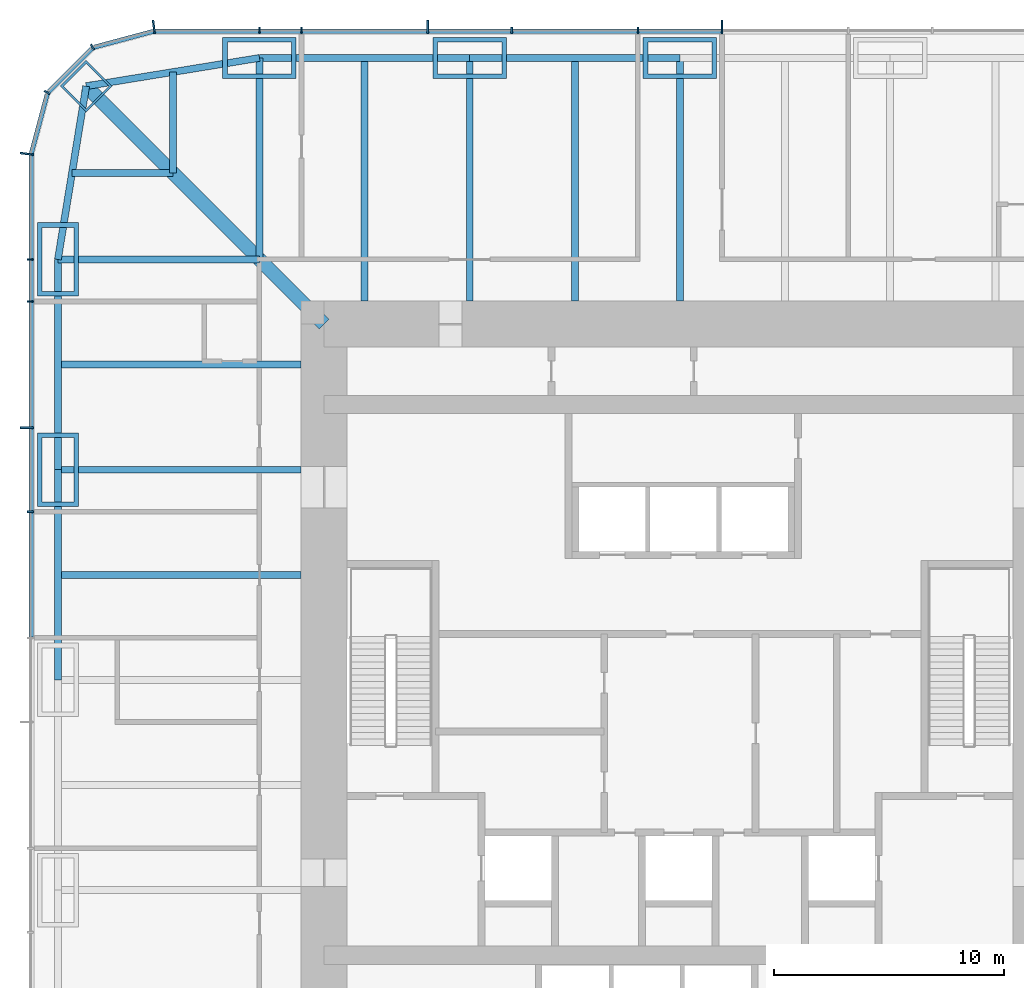
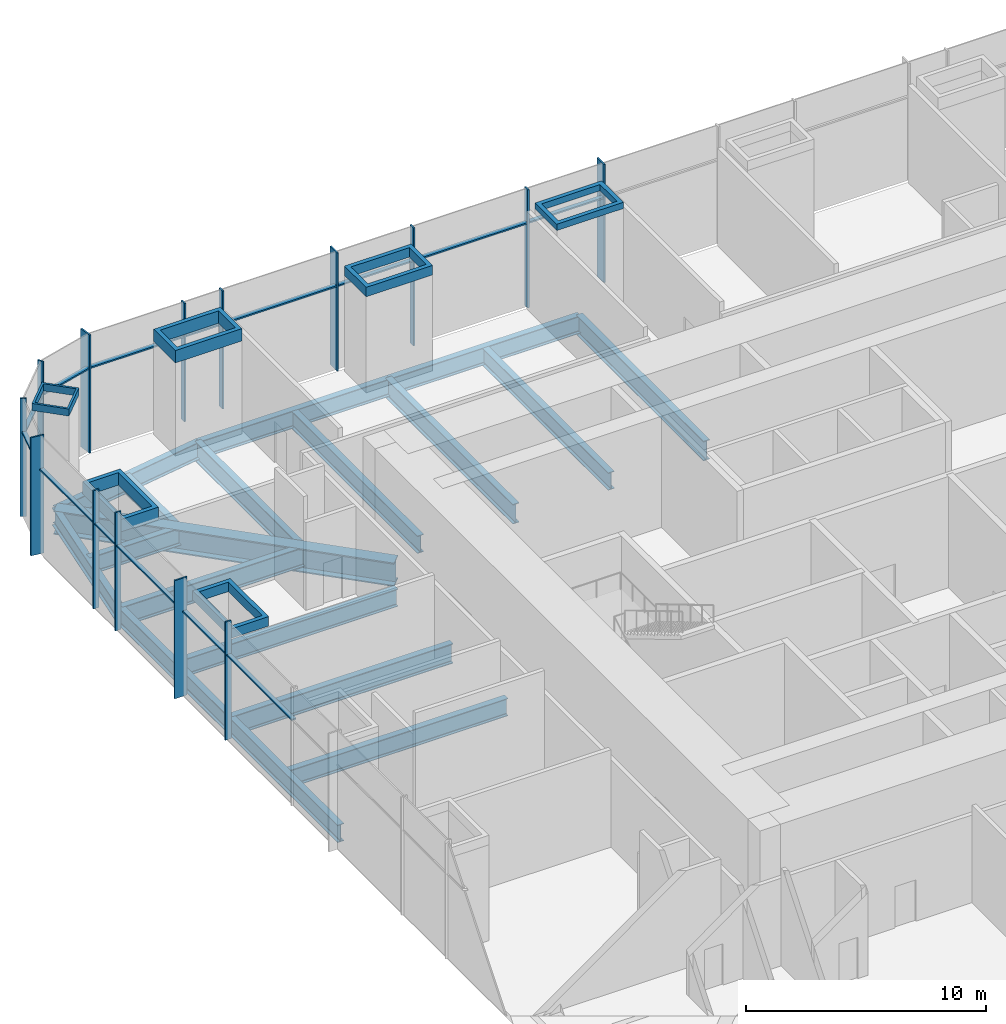
# One storey, part 4 of 12: 34 members, 18 beams, 3 elements without a shape of their own.
"""IFC4 building model written with IfcOpenShell, lengths in metres."""

from ifc_helpers import new_model, si_unit, direction, frame, origin, origin_2d, place, context, subcontext, project, spatial, rectangle, hollow_rectangle, i_section, extrude, material, material_profile, profile_set, type_object, element, aggregate, save


model = new_model("IFC4")

# Units and contexts
model_context = context("Model", 3, precision=1e-05, world=origin(), true_north=direction((0.0, 1.0)))
body_context = subcontext(model_context, "Body", "Model", "MODEL_VIEW")
ifc_project = project(units=[si_unit("LENGTHUNIT", "METRE"), si_unit("AREAUNIT", "SQUARE_METRE"), si_unit("VOLUMEUNIT", "CUBIC_METRE"), si_unit("PLANEANGLEUNIT", "RADIAN"), si_unit("MASSUNIT", "GRAM", prefix="KILO")], contexts=[model_context])

# Site, building, storey
site_placement = place(None, origin())
site = spatial("IfcSite", under=ifc_project, at=site_placement, CompositionType="ELEMENT")
building_placement = place(site_placement, origin())
building = spatial("IfcBuilding", under=site, at=building_placement, Name="Khuree Lantern Residences", CompositionType="ELEMENT")
storey_placement = place(building_placement, frame((0.0, 0.0, 186.0)))
storey = spatial("IfcBuildingStorey", under=building, at=storey_placement, Name="L47", CompositionType="ELEMENT", Elevation=186.0)

# Beams
ifc_material_1 = material(Name="Steel S355", Category="steel")
ifc_material_profile_1 = material_profile(ifc_material_1, i_section(OverallWidth=0.300048828125, OverallDepth=0.889892578125, WebThickness=0.01611328125, FlangeThickness=0.030029296875, FilletRadius=0.030029296875, at=origin_2d()), Name="HE 900 A")
ifc_profile_set_1 = profile_set([ifc_material_profile_1], Name="Steel S355")
beam_type_1 = type_object("IfcBeamType", Name="B-47 SECONDARY BEAM HE 900 A", PredefinedType="BEAM", material=ifc_profile_set_1)
for number, where, z_axis, x_axis, name in (
    (1, (-13.739990234375, 27.10009765625, -0.7451171875), (0.0, -1.0, 0.0), (1.0, 0.0, 0.0), "Secondary beam N1"),
    (2, (-4.580078125, 27.10009765625, -0.7451171875), (0.0, -1.0, 0.0), (1.0, 0.0, 0.0), "Secondary beam N2"),
    (3, (-27.10009765625, 4.580078125, -0.7451171875), (1.0, 0.0, 0.0), (0.0, 1.0, 0.0), "Secondary beam W4"),
    (4, (-27.10009765625, 13.739990234375, -0.7451171875), (1.0, 0.0, 0.0), (0.0, 1.0, 0.0), "Secondary beam W5"),
):
    element("IfcBeam", number, at=place(storey_placement, frame(where, z_axis=z_axis, x_axis=x_axis)), inside=storey, type_object=beam_type_1, Name=name, PredefinedType="BEAM", context=body_context, shape_type="SweptSolid", body=[
        extrude(i_section(OverallWidth=0.300048828125, OverallDepth=0.889892578125, WebThickness=0.01611328125, FlangeThickness=0.030029296875, FilletRadius=0.030029296875, at=origin_2d()), origin(), (0.0, 0.0, 1.0), 10.60009765625),
    ])
for number, where, z_axis, x_axis, name in (
    (5, (-26.48486328125, 22.094970703125, -0.7451171875), (1.0, 0.0, 0.0), (0.0, 1.0, 0.0), "Secondary beam W6"),
    (6, (-22.094970703125, 26.48486328125, -0.7451171875), (0.0, -1.0, 0.0), (1.0, 0.0, 0.0), "Secondary beam N6"),
):
    element("IfcBeam", number, at=place(storey_placement, frame(where, z_axis=z_axis, x_axis=x_axis)), inside=storey, type_object=beam_type_1, Name=name, PredefinedType="BEAM", context=body_context, shape_type="SweptSolid", body=[
        extrude(i_section(OverallWidth=0.300048828125, OverallDepth=0.889892578125, WebThickness=0.01611328125, FlangeThickness=0.030029296875, FilletRadius=0.030029296875, at=origin_2d()), origin(), (0.0, 0.0, 1.0), 4.389892578125),
    ])
ifc_material_profile_2 = material_profile(ifc_material_1, i_section(OverallWidth=0.300048828125, OverallDepth=0.889892578125, WebThickness=0.01611328125, FlangeThickness=0.030029296875, FilletRadius=0.030029296875, at=origin_2d()), Name="HE 900 A")
ifc_profile_set_2 = profile_set([ifc_material_profile_2], Name="Steel S355")
beam_type_2 = type_object("IfcBeamType", Name="E-47 SPANDREL BEAM HE 900 A", PredefinedType="SPANDREL", material=ifc_profile_set_2)
beam_1_placement = place(storey_placement, frame((-18.320068359375, 27.10009765625, -0.7451171875), z_axis=(1.0, 0.0, 0.0), x_axis=(0.0, 1.0, 0.0)))
element("IfcBeam", 7, at=beam_1_placement, inside=storey, type_object=beam_type_2, Name="Spandrel beam N1", PredefinedType="SPANDREL", context=body_context, shape_type="SweptSolid", body=[
    extrude(i_section(OverallWidth=0.300048828125, OverallDepth=0.889892578125, WebThickness=0.01611328125, FlangeThickness=0.030029296875, FilletRadius=0.030029296875, at=origin_2d()), origin(), (0.0, 0.0, 1.0), 9.16015625),
])
for number, where, z_axis, x_axis, name in (
    (8, (-9.159912109375, 27.10009765625, -0.7451171875), (1.0, 0.0, 0.0), (0.0, 1.0, 0.0), "Spandrel beam N2"),
    (9, (-27.10009765625, 0.0, -0.7451171875), (0.0, 1.0, 0.0), (-1.0, 0.0, 0.0), "Spandrel beam W4"),
):
    element("IfcBeam", number, at=place(storey_placement, frame(where, z_axis=z_axis, x_axis=x_axis)), inside=storey, type_object=beam_type_2, Name=name, PredefinedType="SPANDREL", context=body_context, shape_type="SweptSolid", body=[
        extrude(i_section(OverallWidth=0.300048828125, OverallDepth=0.889892578125, WebThickness=0.01611328125, FlangeThickness=0.030029296875, FilletRadius=0.030029296875, at=origin_2d()), origin(), (0.0, 0.0, 1.0), 9.159912109375),
    ])
beam_2_placement = place(storey_placement, frame((-27.10009765625, 9.159912109375, -0.7451171875), z_axis=(0.0, 1.0, 0.0), x_axis=(-1.0, 0.0, 0.0)))
element("IfcBeam", 10, at=beam_2_placement, inside=storey, type_object=beam_type_2, Name="Spandrel beam W5", PredefinedType="SPANDREL", context=body_context, shape_type="SweptSolid", body=[
    extrude(i_section(OverallWidth=0.300048828125, OverallDepth=0.889892578125, WebThickness=0.01611328125, FlangeThickness=0.030029296875, FilletRadius=0.030029296875, at=origin_2d()), origin(), (0.0, 0.0, 1.0), 9.16015625),
])
for number, where, z_axis, x_axis, name in (
    (11, (-27.10009765625, 18.320068359375, -0.7451171875), (0.160826723833, 0.986982656839, 0.0), (-0.986982656839, 0.160826723833, 0.0), "Spandrel beam W6"),
    (12, (-25.869873046875, 25.869873046875, -0.7451171875), (0.986982656839, 0.160826723833, 0.0), (-0.160826723833, 0.986982656839, 0.0), "Spandrel beam N6"),
):
    element("IfcBeam", number, at=place(storey_placement, frame(where, z_axis=z_axis, x_axis=x_axis)), inside=storey, type_object=beam_type_2, Name=name, PredefinedType="SPANDREL", context=body_context, shape_type="SweptSolid", body=[
        extrude(i_section(OverallWidth=0.300048828125, OverallDepth=0.889892578125, WebThickness=0.01611328125, FlangeThickness=0.030029296875, FilletRadius=0.030029296875, at=origin_2d()), origin(), (0.0, 0.0, 1.0), 7.6494140625),
    ])

# Curtain wall, members
ifc_material_2 = material(Name="Bronze anodised aluminium", Category="aluminium")
curtain_wall_type = type_object("IfcCurtainWallType", Name="CW-S SKY STOREY FULL-HEIGHT CURTAIN WALL", PredefinedType="USERDEFINED", material=ifc_material_2)
curtain_wall_1_placement = place(storey_placement, origin())
curtain_wall_1 = element("IfcCurtainWall", 13, at=curtain_wall_1_placement, inside=storey, type_object=curtain_wall_type, Name="L47 NORTH FACE CURTAIN WALL", ObjectType="Full-height curtain wall", PredefinedType="USERDEFINED")
ifc_material_profile_3 = material_profile(ifc_material_2, rectangle(XDim=0.074951171875, YDim=0.60009765625, at=origin_2d()), Name="F3 75X600")
ifc_profile_set_3 = profile_set([ifc_material_profile_3], Name="Bronze anodised aluminium")
member_type_1 = type_object("IfcMemberType", Name="F3 BRONZE FIN MULLION SKY 75X600", PredefinedType="MULLION", material=ifc_profile_set_3)
member_1_placement = place(storey_placement, frame((1.83203125, 28.449951171875, 0.0), z_axis=(0.0, 0.0, 1.0), x_axis=(-1.0, 0.0, 0.0)))
member_1 = element("IfcMember", 14, at=member_1_placement, type_object=member_type_1, Name="L47 NORTH FACE FIN MULLION 23", PredefinedType="MULLION", context=body_context, shape_type="SweptSolid", body=[
    extrude(rectangle(XDim=0.074951171875, YDim=0.60009765625, at=origin_2d()), origin(), (0.0, 0.0, 1.0), 6.0),
])
member_2_placement = place(storey_placement, frame((-10.991943359375, 28.449951171875, 0.0), z_axis=(0.0, 0.0, 1.0), x_axis=(-1.0, 0.0, 0.0)))
member_2 = element("IfcMember", 15, at=member_2_placement, type_object=member_type_1, Name="L47 NORTH FACE FIN MULLION 26", PredefinedType="MULLION", context=body_context, shape_type="SweptSolid", body=[
    extrude(rectangle(XDim=0.074951171875, YDim=0.60009765625, at=origin_2d()), origin(), (0.0, 0.0, 1.0), 6.0),
])

# Curtain wall, member
curtain_wall_2_placement = place(storey_placement, origin())
curtain_wall_2 = element("IfcCurtainWall", 16, at=curtain_wall_2_placement, inside=storey, type_object=curtain_wall_type, Name="L47 NORTH-WEST CORNER CURTAIN WALL", ObjectType="Full-height curtain wall", PredefinedType="USERDEFINED")
member_3_placement = place(storey_placement, frame((-22.919677734375, 28.4501953125, 0.0), z_axis=(0.0, 0.0, 1.0), x_axis=(-0.991444857305, -0.130526223125, 0.0)))
member_3 = element("IfcMember", 17, at=member_3_placement, type_object=member_type_1, Name="L47 NORTH-WEST CORNER FIN MULLION 29", PredefinedType="MULLION", context=body_context, shape_type="SweptSolid", body=[
    extrude(rectangle(XDim=0.074951171875, YDim=0.60009765625, at=origin_2d()), origin(), (0.0, 0.0, 1.0), 6.0),
])

# Curtain wall, members
curtain_wall_3_placement = place(storey_placement, origin())
curtain_wall_3 = element("IfcCurtainWall", 18, at=curtain_wall_3_placement, inside=storey, type_object=curtain_wall_type, Name="L47 WEST FACE CURTAIN WALL", ObjectType="Full-height curtain wall", PredefinedType="USERDEFINED")
member_4_placement = place(storey_placement, frame((-28.4501953125, 22.919677734375, 0.0), z_axis=(0.0, 0.0, 1.0), x_axis=(-0.130526223125, -0.991444857305, 0.0)))
member_4 = element("IfcMember", 19, at=member_4_placement, type_object=member_type_1, Name="L47 WEST FACE FIN MULLION 32", PredefinedType="MULLION", context=body_context, shape_type="SweptSolid", body=[
    extrude(rectangle(XDim=0.074951171875, YDim=0.60009765625, at=origin_2d()), origin(), (0.0, 0.0, 1.0), 6.0),
])
member_5_placement = place(storey_placement, frame((-28.449951171875, 10.991943359375, 0.0), z_axis=(0.0, 0.0, 1.0), x_axis=(0.0, -1.0, 0.0)))
member_5 = element("IfcMember", 20, at=member_5_placement, type_object=member_type_1, Name="L47 WEST FACE FIN MULLION 35", PredefinedType="MULLION", context=body_context, shape_type="SweptSolid", body=[
    extrude(rectangle(XDim=0.074951171875, YDim=0.60009765625, at=origin_2d()), origin(), (0.0, 0.0, 1.0), 6.0),
])

# Beams
ifc_material_profile_4 = material_profile(ifc_material_1, i_section(OverallWidth=0.300048828125, OverallDepth=1.0, WebThickness=0.01904296875, FlangeThickness=0.035888671875, FilletRadius=0.030029296875, at=origin_2d()), Name="HE 1000 B")
ifc_profile_set_4 = profile_set([ifc_material_profile_4], Name="Steel S355")
beam_type_3 = type_object("IfcBeamType", Name="G-47 GIRDER HE 1000 B", PredefinedType="BEAM", material=ifc_profile_set_4)
beam_3_placement = place(storey_placement, frame((-18.320068359375, 27.10009765625, -0.800048828125), z_axis=(0.0, -1.0, 0.0), x_axis=(1.0, 0.0, 0.0)))
element("IfcBeam", 21, at=beam_3_placement, inside=storey, type_object=beam_type_3, Name="Girder N1", PredefinedType="BEAM", context=body_context, shape_type="SweptSolid", body=[
    extrude(i_section(OverallWidth=0.300048828125, OverallDepth=1.0, WebThickness=0.01904296875, FlangeThickness=0.035888671875, FilletRadius=0.030029296875, at=origin_2d()), origin(), (0.0, 0.0, 1.0), 8.780029296875),
])
for number, where, z_axis, x_axis, name in (
    (22, (-9.159912109375, 27.10009765625, -0.800048828125), (0.0, -1.0, 0.0), (1.0, 0.0, 0.0), "Girder N2"),
    (23, (0.0, 27.10009765625, -0.800048828125), (0.0, -1.0, 0.0), (1.0, 0.0, 0.0), "Girder N3"),
    (24, (-27.10009765625, 9.159912109375, -0.800048828125), (1.0, 0.0, 0.0), (0.0, 1.0, 0.0), "Girder W4"),
):
    element("IfcBeam", number, at=place(storey_placement, frame(where, z_axis=z_axis, x_axis=x_axis)), inside=storey, type_object=beam_type_3, Name=name, PredefinedType="BEAM", context=body_context, shape_type="SweptSolid", body=[
        extrude(i_section(OverallWidth=0.300048828125, OverallDepth=1.0, WebThickness=0.01904296875, FlangeThickness=0.035888671875, FilletRadius=0.030029296875, at=origin_2d()), origin(), (0.0, 0.0, 1.0), 10.60009765625),
    ])
beam_4_placement = place(storey_placement, frame((-27.10009765625, 18.320068359375, -0.800048828125), z_axis=(1.0, 0.0, 0.0), x_axis=(0.0, 1.0, 0.0)))
element("IfcBeam", 25, at=beam_4_placement, inside=storey, type_object=beam_type_3, Name="Girder W5", PredefinedType="BEAM", context=body_context, shape_type="SweptSolid", body=[
    extrude(i_section(OverallWidth=0.300048828125, OverallDepth=1.0, WebThickness=0.01904296875, FlangeThickness=0.035888671875, FilletRadius=0.030029296875, at=origin_2d()), origin(), (0.0, 0.0, 1.0), 8.780029296875),
])
ifc_material_profile_5 = material_profile(ifc_material_1, i_section(OverallWidth=0.60009765625, OverallDepth=1.199951171875, WebThickness=0.030029296875, FlangeThickness=0.06005859375, at=origin_2d()), Name="WELDED I 1200X600X30X60")
ifc_profile_set_5 = profile_set([ifc_material_profile_5], Name="Steel S355")
beam_type_4 = type_object("IfcBeamType", Name="GD-47 CORNER GIRDER WELDED I 1200X600X30X60", PredefinedType="BEAM", material=ifc_profile_set_5)
beam_5_placement = place(storey_placement, frame((-25.869873046875, 25.869873046875, -0.89990234375), z_axis=(0.707106781187, -0.707106781187, 0.0), x_axis=(0.707106781187, 0.707106781187, 0.0)))
element("IfcBeam", 26, at=beam_5_placement, inside=storey, type_object=beam_type_4, Name="Corner girder NW", PredefinedType="BEAM", context=body_context, shape_type="SweptSolid", body=[
    extrude(i_section(OverallWidth=0.60009765625, OverallDepth=1.199951171875, WebThickness=0.030029296875, FlangeThickness=0.06005859375, at=origin_2d()), origin(), (0.0, 0.0, 1.0), 14.665283203125),
])

# Members
ifc_material_3 = material(Name="Steel S355 CFT welded box", Category="steel")
ifc_material_profile_6 = material_profile(ifc_material_3, hollow_rectangle(XDim=3.199951171875, YDim=1.800048828125, WallThickness=0.199951171875, at=origin_2d()), Name="WELDED BOX 3200X1800X200")
ifc_profile_set_6 = profile_set([ifc_material_profile_6], Name="Steel S355 CFT welded box")
member_type_2 = type_object("IfcMemberType", Name="MN MEGA COLUMN NODE WELDED BOX 3200X1800X200", PredefinedType="MEMBER", material=ifc_profile_set_6)
member_6_placement = place(storey_placement, frame((-18.320068359375, 27.10009765625, 4.719970703125), z_axis=(0.0, 0.0, 1.0), x_axis=(1.0, 0.0, 0.0)))
element("IfcMember", 27, at=member_6_placement, inside=storey, type_object=member_type_2, Name="Mega column node N1", PredefinedType="MEMBER", context=body_context, shape_type="SweptSolid", body=[
    extrude(hollow_rectangle(XDim=3.199951171875, YDim=1.800048828125, WallThickness=0.199951171875, at=origin_2d()), origin(), (0.0, 0.0, 1.0), 0.630126953125),
])
member_7_placement = place(storey_placement, frame((-9.159912109375, 27.10009765625, 4.8701171875), z_axis=(0.0, 0.0, 1.0), x_axis=(1.0, 0.0, 0.0)))
element("IfcMember", 28, at=member_7_placement, inside=storey, type_object=member_type_2, Name="Mega column node N2", PredefinedType="MEMBER", context=body_context, shape_type="SweptSolid", body=[
    extrude(hollow_rectangle(XDim=3.199951171875, YDim=1.800048828125, WallThickness=0.199951171875, at=origin_2d()), origin(), (0.0, 0.0, 1.0), 0.47998046875),
])
member_8_placement = place(storey_placement, frame((0.0, 27.10009765625, 5.030029296875), z_axis=(0.0, 0.0, 1.0), x_axis=(1.0, 0.0, 0.0)))
element("IfcMember", 29, at=member_8_placement, inside=storey, type_object=member_type_2, Name="Mega column node N3", PredefinedType="MEMBER", context=body_context, shape_type="SweptSolid", body=[
    extrude(hollow_rectangle(XDim=3.199951171875, YDim=1.800048828125, WallThickness=0.199951171875, at=origin_2d()), origin(), (0.0, 0.0, 1.0), 0.320068359375),
])
member_9_placement = place(storey_placement, frame((-27.10009765625, 9.159912109375, 4.8701171875), z_axis=(0.0, 0.0, 1.0), x_axis=(0.0, 1.0, 0.0)))
element("IfcMember", 30, at=member_9_placement, inside=storey, type_object=member_type_2, Name="Mega column node W4", PredefinedType="MEMBER", context=body_context, shape_type="SweptSolid", body=[
    extrude(hollow_rectangle(XDim=3.199951171875, YDim=1.800048828125, WallThickness=0.199951171875, at=origin_2d()), origin(), (0.0, 0.0, 1.0), 0.47998046875),
])
member_10_placement = place(storey_placement, frame((-27.10009765625, 18.320068359375, 4.719970703125), z_axis=(0.0, 0.0, 1.0), x_axis=(0.0, 1.0, 0.0)))
element("IfcMember", 31, at=member_10_placement, inside=storey, type_object=member_type_2, Name="Mega column node W5", PredefinedType="MEMBER", context=body_context, shape_type="SweptSolid", body=[
    extrude(hollow_rectangle(XDim=3.199951171875, YDim=1.800048828125, WallThickness=0.199951171875, at=origin_2d()), origin(), (0.0, 0.0, 1.0), 0.630126953125),
])
ifc_material_profile_7 = material_profile(ifc_material_3, hollow_rectangle(XDim=1.60009765625, YDim=1.60009765625, WallThickness=0.10009765625, at=origin_2d()), Name="WELDED BOX 1600X1600X100")
ifc_profile_set_7 = profile_set([ifc_material_profile_7], Name="Steel S355 CFT welded box")
member_type_3 = type_object("IfcMemberType", Name="MNA MEGA COLUMN NODE WELDED BOX 1600X1600X100", PredefinedType="MEMBER", material=ifc_profile_set_7)
member_11_placement = place(storey_placement, frame((-25.869873046875, 25.869873046875, 4.989990234375), z_axis=(0.0, 0.0, 1.0), x_axis=(0.707106781187, 0.707106781187, 0.0)))
element("IfcMember", 32, at=member_11_placement, inside=storey, type_object=member_type_3, Name="Mega column node NW", PredefinedType="MEMBER", context=body_context, shape_type="SweptSolid", body=[
    extrude(hollow_rectangle(XDim=1.60009765625, YDim=1.60009765625, WallThickness=0.10009765625, at=origin_2d()), origin(), (0.0, 0.0, 1.0), 0.360107421875),
])

# Member
ifc_material_profile_8 = material_profile(ifc_material_2, rectangle(XDim=0.074951171875, YDim=0.280029296875, at=origin_2d()), Name="M3 75X280")
ifc_profile_set_8 = profile_set([ifc_material_profile_8], Name="Bronze anodised aluminium")
member_type_4 = type_object("IfcMemberType", Name="MULLION M3 SKY 75X280", PredefinedType="MULLION", material=ifc_profile_set_8)
member_12_placement = place(storey_placement, frame((-1.83203125, 28.2900390625, 0.0), z_axis=(0.0, 0.0, 1.0), x_axis=(-1.0, 0.0, 0.0)))
member_12 = element("IfcMember", 33, at=member_12_placement, type_object=member_type_4, Name="L47 NORTH FACE MULLION 24", PredefinedType="MULLION", context=body_context, shape_type="SweptSolid", body=[
    extrude(rectangle(XDim=0.074951171875, YDim=0.280029296875, at=origin_2d()), origin(), (0.0, 0.0, 1.0), 6.0),
])

member_13_placement = place(storey_placement, frame((-7.327880859375, 28.2900390625, 0.0), z_axis=(0.0, 0.0, 1.0), x_axis=(-1.0, 0.0, 0.0)))
member_13 = element("IfcMember", 34, at=member_13_placement, type_object=member_type_4, Name="L47 NORTH FACE MULLION 25", PredefinedType="MULLION", context=body_context, shape_type="SweptSolid", body=[
    extrude(rectangle(XDim=0.074951171875, YDim=0.280029296875, at=origin_2d()), origin(), (0.0, 0.0, 1.0), 6.0),
])

member_14_placement = place(storey_placement, frame((-16.488037109375, 28.2900390625, 0.0), z_axis=(0.0, 0.0, 1.0), x_axis=(-1.0, 0.0, 0.0)))
member_14 = element("IfcMember", 35, at=member_14_placement, type_object=member_type_4, Name="L47 NORTH FACE MULLION 27", PredefinedType="MULLION", context=body_context, shape_type="SweptSolid", body=[
    extrude(rectangle(XDim=0.074951171875, YDim=0.280029296875, at=origin_2d()), origin(), (0.0, 0.0, 1.0), 6.0),
])

member_15_placement = place(storey_placement, frame((-18.320068359375, 28.2900390625, 0.0), z_axis=(0.0, 0.0, 1.0), x_axis=(-1.0, 0.0, 0.0)))
member_15 = element("IfcMember", 36, at=member_15_placement, type_object=member_type_4, Name="L47 NORTH FACE MULLION 28", PredefinedType="MULLION", context=body_context, shape_type="SweptSolid", body=[
    extrude(rectangle(XDim=0.074951171875, YDim=0.280029296875, at=origin_2d()), origin(), (0.0, 0.0, 1.0), 6.0),
])

member_16_placement = place(storey_placement, frame((-25.594970703125, 27.56787109375, 0.0), z_axis=(0.0, 0.0, 1.0), x_axis=(-0.866025388199, -0.500000026995, 0.0)))
member_16 = element("IfcMember", 37, at=member_16_placement, type_object=member_type_4, Name="L47 NORTH-WEST CORNER MULLION 30", PredefinedType="MULLION", context=body_context, shape_type="SweptSolid", body=[
    extrude(rectangle(XDim=0.074951171875, YDim=0.280029296875, at=origin_2d()), origin(), (0.0, 0.0, 1.0), 6.0),
])

member_17_placement = place(storey_placement, frame((-27.56787109375, 25.594970703125, 0.0), z_axis=(0.0, 0.0, 1.0), x_axis=(-0.500000026995, -0.866025388199, 0.0)))
member_17 = element("IfcMember", 38, at=member_17_placement, type_object=member_type_4, Name="L47 NORTH-WEST CORNER MULLION 31", PredefinedType="MULLION", context=body_context, shape_type="SweptSolid", body=[
    extrude(rectangle(XDim=0.074951171875, YDim=0.280029296875, at=origin_2d()), origin(), (0.0, 0.0, 1.0), 6.0),
])

member_18_placement = place(storey_placement, frame((-28.2900390625, 18.320068359375, 0.0), z_axis=(0.0, 0.0, 1.0), x_axis=(0.0, -1.0, 0.0)))
member_18 = element("IfcMember", 39, at=member_18_placement, type_object=member_type_4, Name="L47 WEST FACE MULLION 33", PredefinedType="MULLION", context=body_context, shape_type="SweptSolid", body=[
    extrude(rectangle(XDim=0.074951171875, YDim=0.280029296875, at=origin_2d()), origin(), (0.0, 0.0, 1.0), 6.0),
])

member_19_placement = place(storey_placement, frame((-28.2900390625, 16.488037109375, 0.0), z_axis=(0.0, 0.0, 1.0), x_axis=(0.0, -1.0, 0.0)))
member_19 = element("IfcMember", 40, at=member_19_placement, type_object=member_type_4, Name="L47 WEST FACE MULLION 34", PredefinedType="MULLION", context=body_context, shape_type="SweptSolid", body=[
    extrude(rectangle(XDim=0.074951171875, YDim=0.280029296875, at=origin_2d()), origin(), (0.0, 0.0, 1.0), 6.0),
])

member_20_placement = place(storey_placement, frame((-28.2900390625, 7.327880859375, 0.0), z_axis=(0.0, 0.0, 1.0), x_axis=(0.0, -1.0, 0.0)))
member_20 = element("IfcMember", 41, at=member_20_placement, type_object=member_type_4, Name="L47 WEST FACE MULLION 36", PredefinedType="MULLION", context=body_context, shape_type="SweptSolid", body=[
    extrude(rectangle(XDim=0.074951171875, YDim=0.280029296875, at=origin_2d()), origin(), (0.0, 0.0, 1.0), 6.0),
])

ifc_material_profile_9 = material_profile(ifc_material_2, rectangle(XDim=0.199951171875, YDim=0.074951171875, at=origin_2d()), Name="T3 200X75")
ifc_profile_set_9 = profile_set([ifc_material_profile_9], Name="Bronze anodised aluminium")
member_type_5 = type_object("IfcMemberType", Name="TRANSOM T3 SKY 200X75", PredefinedType="USERDEFINED", material=ifc_profile_set_9)
member_21_placement = place(storey_placement, frame((1.79443359375, 28.27001953125, 4.300048828125), z_axis=(-1.0, 0.0, 0.0), x_axis=(0.0, -1.0, 0.0)))
member_21 = element("IfcMember", 42, at=member_21_placement, type_object=member_type_5, Name="L47 NORTH FACE TRANSOM 23.1", ObjectType="Transom", PredefinedType="USERDEFINED", context=body_context, shape_type="SweptSolid", body=[
    extrude(rectangle(XDim=0.199951171875, YDim=0.074951171875, at=origin_2d()), origin(), (0.0, 0.0, 1.0), 3.5888671875),
])

member_22_placement = place(storey_placement, frame((-1.869384765625, 28.27001953125, 4.300048828125), z_axis=(-1.0, 0.0, 0.0), x_axis=(0.0, -1.0, 0.0)))
member_22 = element("IfcMember", 43, at=member_22_placement, type_object=member_type_5, Name="L47 NORTH FACE TRANSOM 24.1", ObjectType="Transom", PredefinedType="USERDEFINED", context=body_context, shape_type="SweptSolid", body=[
    extrude(rectangle(XDim=0.199951171875, YDim=0.074951171875, at=origin_2d()), origin(), (0.0, 0.0, 1.0), 5.421142578125),
])

member_23_placement = place(storey_placement, frame((-7.365478515625, 28.27001953125, 4.300048828125), z_axis=(-1.0, 0.0, 0.0), x_axis=(0.0, -1.0, 0.0)))
member_23 = element("IfcMember", 44, at=member_23_placement, type_object=member_type_5, Name="L47 NORTH FACE TRANSOM 25.1", ObjectType="Transom", PredefinedType="USERDEFINED", context=body_context, shape_type="SweptSolid", body=[
    extrude(rectangle(XDim=0.199951171875, YDim=0.074951171875, at=origin_2d()), origin(), (0.0, 0.0, 1.0), 3.589111328125),
])

member_24_placement = place(storey_placement, frame((-11.029541015625, 28.27001953125, 4.300048828125), z_axis=(-1.0, 0.0, 0.0), x_axis=(0.0, -1.0, 0.0)))
member_24 = element("IfcMember", 45, at=member_24_placement, type_object=member_type_5, Name="L47 NORTH FACE TRANSOM 26.1", ObjectType="Transom", PredefinedType="USERDEFINED", context=body_context, shape_type="SweptSolid", body=[
    extrude(rectangle(XDim=0.199951171875, YDim=0.074951171875, at=origin_2d()), origin(), (0.0, 0.0, 1.0), 5.4208984375),
])

member_25_placement = place(storey_placement, frame((-16.525390625, 28.27001953125, 4.300048828125), z_axis=(-1.0, 0.0, 0.0), x_axis=(0.0, -1.0, 0.0)))
member_25 = element("IfcMember", 46, at=member_25_placement, type_object=member_type_5, Name="L47 NORTH FACE TRANSOM 27.1", ObjectType="Transom", PredefinedType="USERDEFINED", context=body_context, shape_type="SweptSolid", body=[
    extrude(rectangle(XDim=0.199951171875, YDim=0.074951171875, at=origin_2d()), origin(), (0.0, 0.0, 1.0), 1.757080078125),
])

member_26_placement = place(storey_placement, frame((-18.357421875, 28.27001953125, 4.300048828125), z_axis=(-1.0, 0.0, 0.0), x_axis=(0.0, -1.0, 0.0)))
member_26 = element("IfcMember", 47, at=member_26_placement, type_object=member_type_5, Name="L47 NORTH FACE TRANSOM 28.1", ObjectType="Transom", PredefinedType="USERDEFINED", context=body_context, shape_type="SweptSolid", body=[
    extrude(rectangle(XDim=0.199951171875, YDim=0.074951171875, at=origin_2d()), origin(), (0.0, 0.0, 1.0), 4.487548828125),
])

aggregate(curtain_wall_1, [member_1, member_12, member_13, member_2, member_14, member_15, member_21, member_22, member_23, member_24, member_25, member_26])

member_27_placement = place(storey_placement, frame((-22.9453125, 28.2568359375, 4.300048828125), z_axis=(-0.965922712839, -0.258830664379, 0.0), x_axis=(0.258830664379, -0.965922712839, 0.0)))
member_27 = element("IfcMember", 48, at=member_27_placement, type_object=member_type_5, Name="L47 NORTH-WEST CORNER TRANSOM 29.1", ObjectType="Transom", PredefinedType="USERDEFINED", context=body_context, shape_type="SweptSolid", body=[
    extrude(rectangle(XDim=0.199951171875, YDim=0.074951171875, at=origin_2d()), origin(), (0.0, 0.0, 1.0), 2.66650390625),
])

member_28_placement = place(storey_placement, frame((-25.630859375, 27.503173828125, 4.300048828125), z_axis=(-0.707106781187, -0.707106781187, 0.0), x_axis=(0.707106781187, -0.707106781187, 0.0)))
member_28 = element("IfcMember", 49, at=member_28_placement, type_object=member_type_5, Name="L47 NORTH-WEST CORNER TRANSOM 30.1", ObjectType="Transom", PredefinedType="USERDEFINED", context=body_context, shape_type="SweptSolid", body=[
    extrude(rectangle(XDim=0.199951171875, YDim=0.074951171875, at=origin_2d()), origin(), (0.0, 0.0, 1.0), 2.64794921875),
])

member_29_placement = place(storey_placement, frame((-27.566650390625, 25.52099609375, 4.300048828125), z_axis=(-0.258830664379, -0.965922712839, 0.0), x_axis=(0.965922712839, -0.258830664379, 0.0)))
member_29 = element("IfcMember", 50, at=member_29_placement, type_object=member_type_5, Name="L47 NORTH-WEST CORNER TRANSOM 31.1", ObjectType="Transom", PredefinedType="USERDEFINED", context=body_context, shape_type="SweptSolid", body=[
    extrude(rectangle(XDim=0.199951171875, YDim=0.074951171875, at=origin_2d()), origin(), (0.0, 0.0, 1.0), 2.66650390625),
])

aggregate(curtain_wall_2, [member_3, member_16, member_17, member_27, member_28, member_29])

member_30_placement = place(storey_placement, frame((-28.27001953125, 22.844970703125, 4.300048828125), z_axis=(0.0, -1.0, 0.0), x_axis=(1.0, 0.0, 0.0)))
member_30 = element("IfcMember", 51, at=member_30_placement, type_object=member_type_5, Name="L47 WEST FACE TRANSOM 32.1", ObjectType="Transom", PredefinedType="USERDEFINED", context=body_context, shape_type="SweptSolid", body=[
    extrude(rectangle(XDim=0.199951171875, YDim=0.074951171875, at=origin_2d()), origin(), (0.0, 0.0, 1.0), 4.487548828125),
])

member_31_placement = place(storey_placement, frame((-28.27001953125, 18.282470703125, 4.300048828125), z_axis=(0.0, -1.0, 0.0), x_axis=(1.0, 0.0, 0.0)))
member_31 = element("IfcMember", 52, at=member_31_placement, type_object=member_type_5, Name="L47 WEST FACE TRANSOM 33.1", ObjectType="Transom", PredefinedType="USERDEFINED", context=body_context, shape_type="SweptSolid", body=[
    extrude(rectangle(XDim=0.199951171875, YDim=0.074951171875, at=origin_2d()), origin(), (0.0, 0.0, 1.0), 1.757080078125),
])

member_32_placement = place(storey_placement, frame((-28.27001953125, 16.450439453125, 4.300048828125), z_axis=(0.0, -1.0, 0.0), x_axis=(1.0, 0.0, 0.0)))
member_32 = element("IfcMember", 53, at=member_32_placement, type_object=member_type_5, Name="L47 WEST FACE TRANSOM 34.1", ObjectType="Transom", PredefinedType="USERDEFINED", context=body_context, shape_type="SweptSolid", body=[
    extrude(rectangle(XDim=0.199951171875, YDim=0.074951171875, at=origin_2d()), origin(), (0.0, 0.0, 1.0), 5.4208984375),
])

member_33_placement = place(storey_placement, frame((-28.27001953125, 10.95458984375, 4.300048828125), z_axis=(0.0, -1.0, 0.0), x_axis=(1.0, 0.0, 0.0)))
member_33 = element("IfcMember", 54, at=member_33_placement, type_object=member_type_5, Name="L47 WEST FACE TRANSOM 35.1", ObjectType="Transom", PredefinedType="USERDEFINED", context=body_context, shape_type="SweptSolid", body=[
    extrude(rectangle(XDim=0.199951171875, YDim=0.074951171875, at=origin_2d()), origin(), (0.0, 0.0, 1.0), 3.589111328125),
])

member_34_placement = place(storey_placement, frame((-28.27001953125, 7.29052734375, 4.300048828125), z_axis=(0.0, -1.0, 0.0), x_axis=(1.0, 0.0, 0.0)))
member_34 = element("IfcMember", 55, at=member_34_placement, type_object=member_type_5, Name="L47 WEST FACE TRANSOM 36.1", ObjectType="Transom", PredefinedType="USERDEFINED", context=body_context, shape_type="SweptSolid", body=[
    extrude(rectangle(XDim=0.199951171875, YDim=0.074951171875, at=origin_2d()), origin(), (0.0, 0.0, 1.0), 5.421142578125),
])

aggregate(curtain_wall_3, [member_4, member_18, member_19, member_5, member_20, member_30, member_31, member_32, member_33, member_34])

save(model, "model.ifc")
